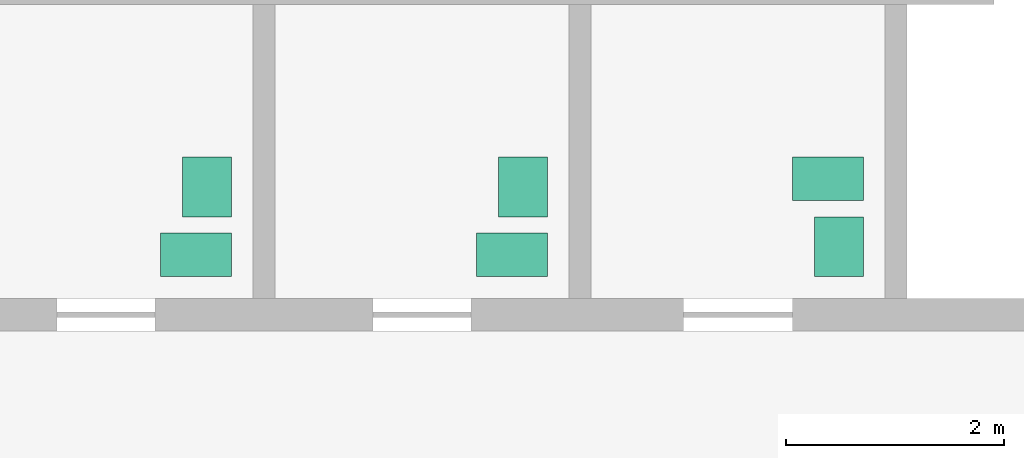
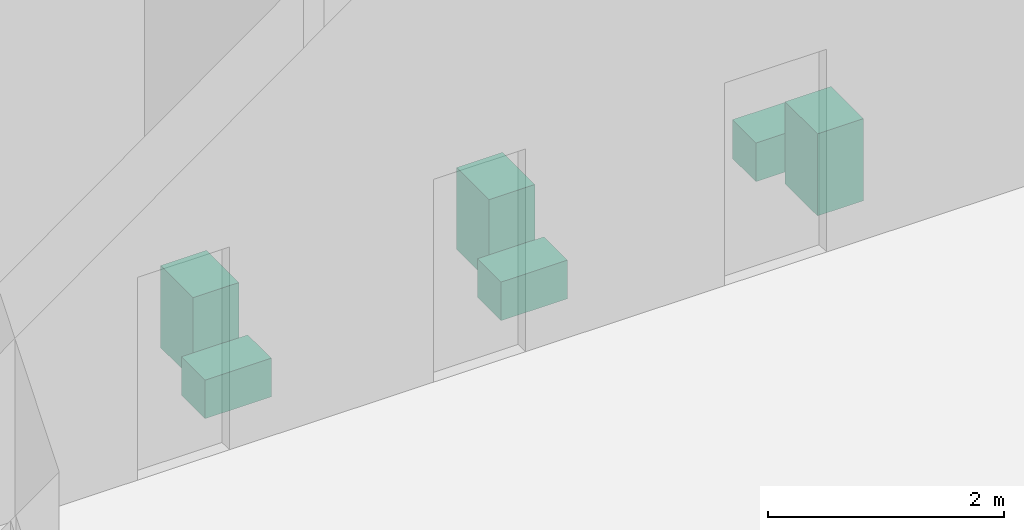
# One storey, part 12 of 13: 6 sanitary terminals.
"""IFC4 building model written with IfcOpenShell, lengths in metres."""

from ifc_helpers import new_model, si_unit, direction, frame, origin, origin_2d, place, context, subcontext, project, spatial, rectangle, extrude, material, type_object, element, save


model = new_model("IFC4")

# Units and contexts
model_context = context("Model", 3, precision=1e-05, world=origin(), true_north=direction((0.0, 1.0)))
body_context = subcontext(model_context, "Body", "Model", "MODEL_VIEW")
ifc_project = project(units=[si_unit("LENGTHUNIT", "METRE"), si_unit("AREAUNIT", "SQUARE_METRE"), si_unit("VOLUMEUNIT", "CUBIC_METRE"), si_unit("PLANEANGLEUNIT", "RADIAN"), si_unit("MASSUNIT", "GRAM", prefix="KILO")], contexts=[model_context])

# Site, building, storey
site_placement = place(None, origin())
site = spatial("IfcSite", under=ifc_project, at=site_placement, CompositionType="ELEMENT")
building_placement = place(site_placement, origin())
building = spatial("IfcBuilding", under=site, at=building_placement, Name="Mashrafa Tower", CompositionType="ELEMENT")
storey_placement = place(building_placement, frame((0.0, 0.0, 198.0)))
storey = spatial("IfcBuildingStorey", under=building, at=storey_placement, Name="L45", CompositionType="ELEMENT", Elevation=198.0)

# Sanitary terminals
ifc_material_1 = material(Name="Vitreous china")
sanitary_terminal_type_1 = type_object("IfcSanitaryTerminalType", Name="Toilet pan 400 x 650", PredefinedType="TOILETPAN", material=ifc_material_1)
for number, where, z_axis, x_axis, name in (
    (1, (-7.875, 3.550048828125, 0.0), (0.0, 0.0, 1.0), (0.0, 1.0, 0.0), "Toilet pan WC Male L45"),
    (2, (-4.97509765625, 3.550048828125, 0.0), (0.0, 0.0, 1.0), (0.0, 1.0, 0.0), "Toilet pan WC Female L45"),
    (3, (-2.074951171875, 4.25, 0.0), (0.0, 0.0, 1.0), (0.0, 1.0, 0.0), "Toilet pan Accessible WC L45"),
):
    element("IfcSanitaryTerminal", number, at=place(storey_placement, frame(where, z_axis=z_axis, x_axis=x_axis)), inside=storey, type_object=sanitary_terminal_type_1, Name=name, PredefinedType="TOILETPAN", context=body_context, shape_type="SweptSolid", body=[
        extrude(rectangle(XDim=0.39990234375, YDim=0.64990234375, at=origin_2d()), origin(), (0.0, 0.0, 1.0), 0.39990234375),
    ])
ifc_material_2 = material(Name="Vitreous china")
sanitary_terminal_type_2 = type_object("IfcSanitaryTerminalType", Name="Wash basin 550 x 450", PredefinedType="WASHHANDBASIN", material=ifc_material_2)
for number, where, z_axis, x_axis, name in (
    (4, (-7.77490234375, 4.175048828125, 0.0), (0.0, 0.0, 1.0), (0.0, 1.0, 0.0), "Wash basin WC Male L45"),
    (5, (-4.875, 4.175048828125, 0.0), (0.0, 0.0, 1.0), (0.0, 1.0, 0.0), "Wash basin WC Female L45"),
    (6, (-1.97509765625, 3.625, 0.0), (0.0, 0.0, 1.0), (0.0, 1.0, 0.0), "Wash basin Accessible WC L45"),
):
    element("IfcSanitaryTerminal", number, at=place(storey_placement, frame(where, z_axis=z_axis, x_axis=x_axis)), inside=storey, type_object=sanitary_terminal_type_2, Name=name, PredefinedType="WASHHANDBASIN", context=body_context, shape_type="SweptSolid", body=[
        extrude(rectangle(XDim=0.550048828125, YDim=0.449951171875, at=origin_2d()), origin(), (0.0, 0.0, 1.0), 0.85009765625),
    ])

save(model, "model.ifc")
